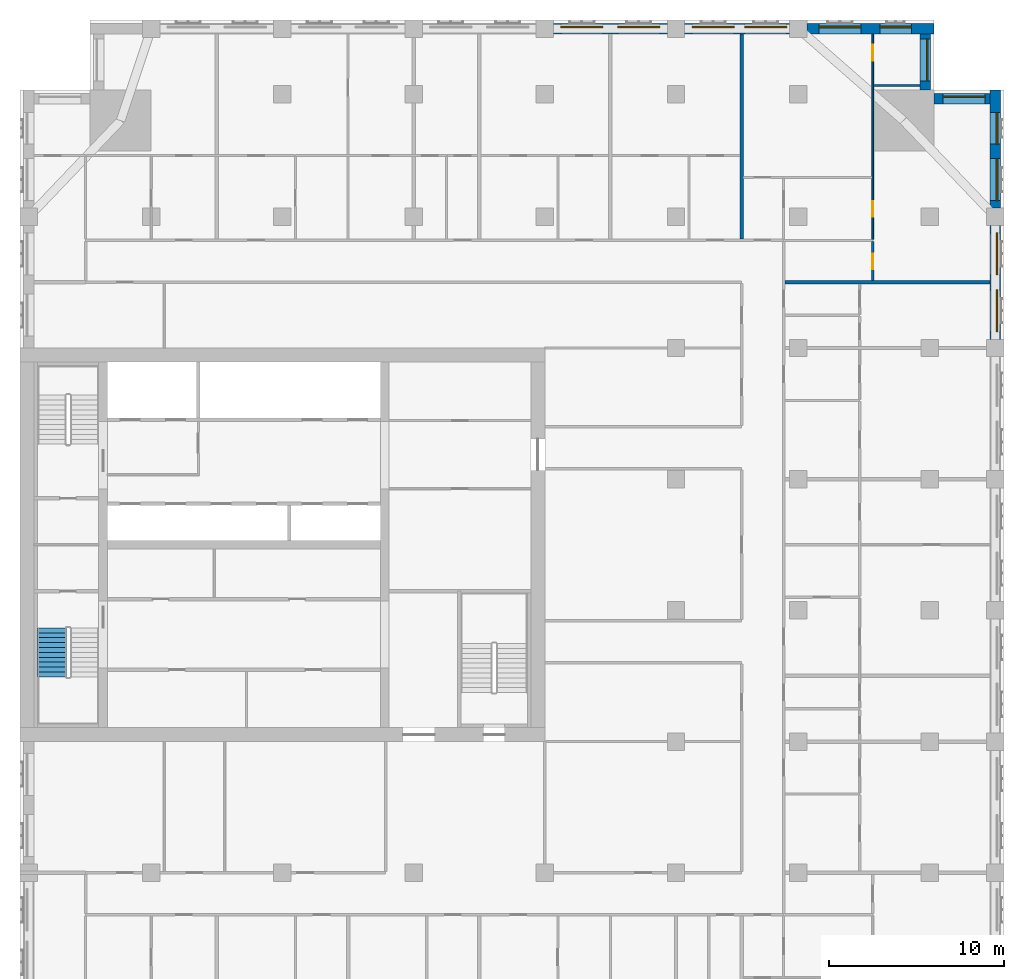
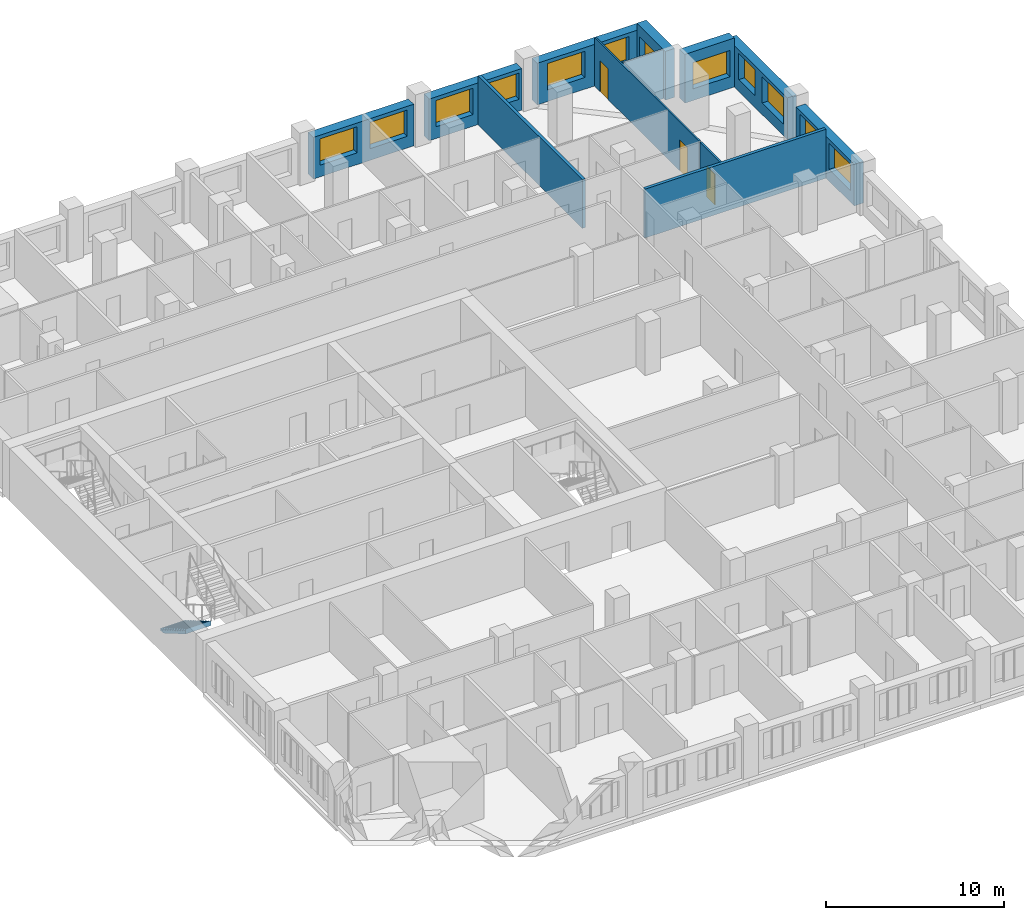
# One storey, part 11 of 14: 12 walls, 12 windows, 3 doors, 1 stair flight, 15 openings, 1 element without a shape of its own.
"""IFC4 building model written with IfcOpenShell, lengths in metres."""

from ifc_helpers import new_model, si_unit, direction, frame, frame_2d, origin, place, context, subcontext, project, spatial, polyline, rectangle, outline, extrude, material, layer, layer_set, type_object, element, fill, aggregate, save


model = new_model("IFC4")

# Units and contexts
model_context = context("Model", 3, precision=1e-05, world=origin(), true_north=direction((0.0, 1.0)))
body_context = subcontext(model_context, "Body", "Model", "MODEL_VIEW")
ifc_project = project(units=[si_unit("LENGTHUNIT", "METRE"), si_unit("AREAUNIT", "SQUARE_METRE"), si_unit("VOLUMEUNIT", "CUBIC_METRE"), si_unit("PLANEANGLEUNIT", "RADIAN"), si_unit("MASSUNIT", "GRAM", prefix="KILO")], contexts=[model_context])

# Site, building, storey
site_placement = place(None, origin())
site = spatial("IfcSite", under=ifc_project, at=site_placement, CompositionType="ELEMENT")
building_placement = place(site_placement, origin())
building = spatial("IfcBuilding", under=site, at=building_placement, Name="Tamorin Gate", CompositionType="ELEMENT")
storey_placement = place(building_placement, frame((0.0, 0.0, 148.199951171875)))
storey = spatial("IfcBuildingStorey", under=building, at=storey_placement, Name="L36", CompositionType="ELEMENT", Elevation=148.199951171875)

# Wall, openings, windows
ifc_material_1 = material(Name="Precast concrete C40/50", Category="concrete")
ifc_layer_1 = layer(ifc_material_1, 0.60009765625)
ifc_layer_set_1 = layer_set([ifc_layer_1], Name="Precast concrete C40/50")
wall_type_1 = type_object("IfcWallType", Name="Board-marked concrete facade panel 600", PredefinedType="SOLIDWALL", material=ifc_layer_set_1)
wall_1_placement = place(storey_placement, frame((85.75, 83.0, 0.0), z_axis=(0.0, 0.0, 1.0), x_axis=(0.0, 1.0, 0.0)))
wall_1 = element("IfcWall", 1, at=wall_1_placement, inside=storey, type_object=wall_type_1, Name="Facade panel", PredefinedType="SOLIDWALL", context=body_context, shape_type="SweptSolid", body=[
    extrude(rectangle(XDim=6.5, YDim=0.60009765625, at=frame_2d((3.25, 0.0))), origin(), (0.0, 0.0, 1.0), 2.85009765625),
])
opening_1_placement = place(wall_1_placement, frame((0.425048828125, 0.0, 0.800048828125)))
opening_1 = element("IfcOpeningElement", 2, at=opening_1_placement, cuts=wall_1, Name="Opening WN1", PredefinedType="OPENING", context=body_context, shape_type="SweptSolid", body=[
    extrude(rectangle(XDim=2.39990234375, YDim=1.800048828125, at=frame_2d((1.199951171875, 0.89990234375))), frame((0.0, 0.31005859375, 0.0), z_axis=(0.0, -1.0, 0.0), x_axis=(1.0, 0.0, 0.0)), (0.0, 0.0, 1.0), 0.6201171875),
])
opening_2_placement = place(wall_1_placement, frame((3.675048828125, 0.0, 0.800048828125)))
opening_2 = element("IfcOpeningElement", 3, at=opening_2_placement, cuts=wall_1, Name="Opening WN1", PredefinedType="OPENING", context=body_context, shape_type="SweptSolid", body=[
    extrude(rectangle(XDim=2.39990234375, YDim=1.800048828125, at=frame_2d((1.199951171875, 0.89990234375))), frame((0.0, 0.31005859375, 0.0), z_axis=(0.0, -1.0, 0.0), x_axis=(1.0, 0.0, 0.0)), (0.0, 0.0, 1.0), 0.6201171875),
])
ifc_material_2 = material(Name="Clear glass in aluminium frame", Category="aluminium")
window_type_1 = type_object("IfcWindowType", Name="Deep-set window 2400x1800", PartitioningType="SINGLE_PANEL", PredefinedType="WINDOW", material=ifc_material_2)
window_1_placement = place(opening_1_placement, origin())
window_1 = element("IfcWindow", 4, at=window_1_placement, inside=storey, type_object=window_type_1, Name="Deep-set window", OverallHeight=1.800048828125, OverallWidth=2.39990234375, PartitioningType="SINGLE_PANEL", PredefinedType="WINDOW", context=body_context, shape_type="SweptSolid", body=[
    extrude(rectangle(XDim=2.39990234375, YDim=1.800048828125, at=frame_2d((1.199951171875, 0.89990234375))), frame((0.0, -0.070068359375, 0.0), z_axis=(0.0, -1.0, 0.0), x_axis=(1.0, 0.0, 0.0)), (0.0, 0.0, 1.0), 0.06005859375),
])
fill(opening_1, window_1)
window_2_placement = place(opening_2_placement, origin())
window_2 = element("IfcWindow", 5, at=window_2_placement, inside=storey, type_object=window_type_1, Name="Deep-set window", OverallHeight=1.800048828125, OverallWidth=2.39990234375, PartitioningType="SINGLE_PANEL", PredefinedType="WINDOW", context=body_context, shape_type="SweptSolid", body=[
    extrude(rectangle(XDim=2.39990234375, YDim=1.800048828125, at=frame_2d((1.199951171875, 0.89990234375))), frame((0.0, -0.070068359375, 0.0), z_axis=(0.0, -1.0, 0.0), x_axis=(1.0, 0.0, 0.0)), (0.0, 0.0, 1.0), 0.06005859375),
])
fill(opening_2, window_2)

wall_2_placement = place(storey_placement, frame((85.75, 90.5, 0.0), z_axis=(0.0, 0.0, 1.0), x_axis=(0.0, 1.0, 0.0)))
wall_2 = element("IfcWall", 6, at=wall_2_placement, inside=storey, type_object=wall_type_1, Name="Facade panel", PredefinedType="SOLIDWALL", context=body_context, shape_type="SweptSolid", body=[
    extrude(rectangle(XDim=6.75, YDim=0.60009765625, at=frame_2d((3.375, 0.0))), origin(), (0.0, 0.0, 1.0), 2.85009765625),
])
opening_3_placement = place(wall_2_placement, frame((0.425048828125, 0.0, 0.800048828125)))
opening_3 = element("IfcOpeningElement", 7, at=opening_3_placement, cuts=wall_2, Name="Opening WN1", PredefinedType="OPENING", context=body_context, shape_type="SweptSolid", body=[
    extrude(rectangle(XDim=2.39990234375, YDim=1.800048828125, at=frame_2d((1.199951171875, 0.89990234375))), frame((0.0, 0.31005859375, 0.0), z_axis=(0.0, -1.0, 0.0), x_axis=(1.0, 0.0, 0.0)), (0.0, 0.0, 1.0), 0.6201171875),
])
opening_4_placement = place(wall_2_placement, frame((3.64990234375, 0.0, 0.800048828125)))
opening_4 = element("IfcOpeningElement", 8, at=opening_4_placement, cuts=wall_2, Name="Opening WN2", PredefinedType="OPENING", context=body_context, shape_type="SweptSolid", body=[
    extrude(rectangle(XDim=1.800048828125, YDim=1.800048828125, at=frame_2d((0.89990234375, 0.89990234375))), frame((0.0, 0.31005859375, 0.0), z_axis=(0.0, -1.0, 0.0), x_axis=(1.0, 0.0, 0.0)), (0.0, 0.0, 1.0), 0.6201171875),
])
window_type_2 = type_object("IfcWindowType", Name="Deep-set window 1800x1800", PartitioningType="SINGLE_PANEL", PredefinedType="WINDOW", material=ifc_material_2)
window_3_placement = place(opening_4_placement, origin())
window_3 = element("IfcWindow", 9, at=window_3_placement, inside=storey, type_object=window_type_2, Name="Deep-set window", OverallHeight=1.800048828125, OverallWidth=1.800048828125, PartitioningType="SINGLE_PANEL", PredefinedType="WINDOW", context=body_context, shape_type="SweptSolid", body=[
    extrude(rectangle(XDim=1.800048828125, YDim=1.800048828125, at=frame_2d((0.89990234375, 0.89990234375))), frame((0.0, -0.070068359375, 0.0), z_axis=(0.0, -1.0, 0.0), x_axis=(1.0, 0.0, 0.0)), (0.0, 0.0, 1.0), 0.06005859375),
])
fill(opening_4, window_3)
window_4_placement = place(opening_3_placement, origin())
window_4 = element("IfcWindow", 10, at=window_4_placement, inside=storey, type_object=window_type_1, Name="Deep-set window", OverallHeight=1.800048828125, OverallWidth=2.39990234375, PartitioningType="SINGLE_PANEL", PredefinedType="WINDOW", context=body_context, shape_type="SweptSolid", body=[
    extrude(rectangle(XDim=2.39990234375, YDim=1.800048828125, at=frame_2d((1.199951171875, 0.89990234375))), frame((0.0, -0.070068359375, 0.0), z_axis=(0.0, -1.0, 0.0), x_axis=(1.0, 0.0, 0.0)), (0.0, 0.0, 1.0), 0.06005859375),
])
fill(opening_3, window_4)

# Wall, opening, window
wall_3_placement = place(storey_placement, frame((85.449951171875, 96.75, 0.0), z_axis=(0.0, 0.0, 1.0), x_axis=(-1.0, 0.0, 0.0)))
wall_3 = element("IfcWall", 11, at=wall_3_placement, inside=storey, type_object=wall_type_1, Name="Facade panel", PredefinedType="SOLIDWALL", context=body_context, shape_type="SweptSolid", body=[
    extrude(rectangle(XDim=3.199951171875, YDim=0.60009765625, at=frame_2d((1.60009765625, 0.0))), origin(), (0.0, 0.0, 1.0), 3.35009765625),
])
opening_5_placement = place(wall_3_placement, frame((0.27490234375, 0.0, 0.800048828125)))
opening_5 = element("IfcOpeningElement", 12, at=opening_5_placement, cuts=wall_3, Name="Opening WN1", PredefinedType="OPENING", context=body_context, shape_type="SweptSolid", body=[
    extrude(rectangle(XDim=2.39990234375, YDim=1.800048828125, at=frame_2d((1.199951171875, 0.89990234375))), frame((0.0, 0.31005859375, 0.0), z_axis=(0.0, -1.0, 0.0), x_axis=(1.0, 0.0, 0.0)), (0.0, 0.0, 1.0), 0.6201171875),
])
window_5_placement = place(opening_5_placement, origin())
window_5 = element("IfcWindow", 13, at=window_5_placement, inside=storey, type_object=window_type_1, Name="Deep-set window", OverallHeight=1.800048828125, OverallWidth=2.39990234375, PartitioningType="SINGLE_PANEL", PredefinedType="WINDOW", context=body_context, shape_type="SweptSolid", body=[
    extrude(rectangle(XDim=2.39990234375, YDim=1.800048828125, at=frame_2d((1.199951171875, 0.89990234375))), frame((0.0, -0.070068359375, 0.0), z_axis=(0.0, -1.0, 0.0), x_axis=(1.0, 0.0, 0.0)), (0.0, 0.0, 1.0), 0.06005859375),
])
fill(opening_5, window_5)

wall_4_placement = place(storey_placement, frame((81.75, 97.25, 0.0), z_axis=(0.0, 0.0, 1.0), x_axis=(0.0, 1.0, 0.0)))
wall_4 = element("IfcWall", 14, at=wall_4_placement, inside=storey, type_object=wall_type_1, Name="Facade panel", PredefinedType="SOLIDWALL", context=body_context, shape_type="SweptSolid", body=[
    extrude(rectangle(XDim=3.199951171875, YDim=0.60009765625, at=frame_2d((1.60009765625, 0.0))), origin(), (0.0, 0.0, 1.0), 3.35009765625),
])
opening_6_placement = place(wall_4_placement, frame((0.52490234375, 0.0, 0.800048828125)))
opening_6 = element("IfcOpeningElement", 15, at=opening_6_placement, cuts=wall_4, Name="Opening WN1", PredefinedType="OPENING", context=body_context, shape_type="SweptSolid", body=[
    extrude(rectangle(XDim=2.39990234375, YDim=1.800048828125, at=frame_2d((1.199951171875, 0.89990234375))), frame((0.0, 0.31005859375, 0.0), z_axis=(0.0, -1.0, 0.0), x_axis=(1.0, 0.0, 0.0)), (0.0, 0.0, 1.0), 0.6201171875),
])
window_6_placement = place(opening_6_placement, origin())
window_6 = element("IfcWindow", 16, at=window_6_placement, inside=storey, type_object=window_type_1, Name="Deep-set window", OverallHeight=1.800048828125, OverallWidth=2.39990234375, PartitioningType="SINGLE_PANEL", PredefinedType="WINDOW", context=body_context, shape_type="SweptSolid", body=[
    extrude(rectangle(XDim=2.39990234375, YDim=1.800048828125, at=frame_2d((1.199951171875, 0.89990234375))), frame((0.0, -0.070068359375, 0.0), z_axis=(0.0, -1.0, 0.0), x_axis=(1.0, 0.0, 0.0)), (0.0, 0.0, 1.0), 0.06005859375),
])
fill(opening_6, window_6)

# Wall, openings, windows
wall_5_placement = place(storey_placement, frame((82.25, 100.75, 0.0), z_axis=(0.0, 0.0, 1.0), x_axis=(-1.0, 0.0, 0.0)))
wall_5 = element("IfcWall", 17, at=wall_5_placement, inside=storey, type_object=wall_type_1, Name="Facade panel", PredefinedType="SOLIDWALL", context=body_context, shape_type="SweptSolid", body=[
    extrude(rectangle(XDim=7.25, YDim=0.60009765625, at=frame_2d((3.625, 0.0))), origin(), (0.0, 0.0, 1.0), 2.85009765625),
])
opening_7_placement = place(wall_5_placement, frame((4.175048828125, 0.0, 0.800048828125)))
opening_7 = element("IfcOpeningElement", 18, at=opening_7_placement, cuts=wall_5, Name="Opening WN1", PredefinedType="OPENING", context=body_context, shape_type="SweptSolid", body=[
    extrude(rectangle(XDim=2.39990234375, YDim=1.800048828125, at=frame_2d((1.199951171875, 0.89990234375))), frame((0.0, 0.31005859375, 0.0), z_axis=(0.0, -1.0, 0.0), x_axis=(1.0, 0.0, 0.0)), (0.0, 0.0, 1.0), 0.6201171875),
])
opening_8_placement = place(wall_5_placement, frame((1.300048828125, 0.0, 0.800048828125)))
opening_8 = element("IfcOpeningElement", 19, at=opening_8_placement, cuts=wall_5, Name="Opening WN2", PredefinedType="OPENING", context=body_context, shape_type="SweptSolid", body=[
    extrude(rectangle(XDim=1.800048828125, YDim=1.800048828125, at=frame_2d((0.89990234375, 0.89990234375))), frame((0.0, 0.31005859375, 0.0), z_axis=(0.0, -1.0, 0.0), x_axis=(1.0, 0.0, 0.0)), (0.0, 0.0, 1.0), 0.6201171875),
])
window_7_placement = place(opening_8_placement, origin())
window_7 = element("IfcWindow", 20, at=window_7_placement, inside=storey, type_object=window_type_2, Name="Deep-set window", OverallHeight=1.800048828125, OverallWidth=1.800048828125, PartitioningType="SINGLE_PANEL", PredefinedType="WINDOW", context=body_context, shape_type="SweptSolid", body=[
    extrude(rectangle(XDim=1.800048828125, YDim=1.800048828125, at=frame_2d((0.89990234375, 0.89990234375))), frame((0.0, -0.070068359375, 0.0), z_axis=(0.0, -1.0, 0.0), x_axis=(1.0, 0.0, 0.0)), (0.0, 0.0, 1.0), 0.06005859375),
])
fill(opening_8, window_7)
window_8_placement = place(opening_7_placement, origin())
window_8 = element("IfcWindow", 21, at=window_8_placement, inside=storey, type_object=window_type_1, Name="Deep-set window", OverallHeight=1.800048828125, OverallWidth=2.39990234375, PartitioningType="SINGLE_PANEL", PredefinedType="WINDOW", context=body_context, shape_type="SweptSolid", body=[
    extrude(rectangle(XDim=2.39990234375, YDim=1.800048828125, at=frame_2d((1.199951171875, 0.89990234375))), frame((0.0, -0.070068359375, 0.0), z_axis=(0.0, -1.0, 0.0), x_axis=(1.0, 0.0, 0.0)), (0.0, 0.0, 1.0), 0.06005859375),
])
fill(opening_7, window_8)

wall_6_placement = place(storey_placement, frame((74.0, 100.75, 0.0), z_axis=(0.0, 0.0, 1.0), x_axis=(-1.0, 0.0, 0.0)))
wall_6 = element("IfcWall", 22, at=wall_6_placement, inside=storey, type_object=wall_type_1, Name="Facade panel", PredefinedType="SOLIDWALL", context=body_context, shape_type="SweptSolid", body=[
    extrude(rectangle(XDim=6.0, YDim=0.60009765625, at=frame_2d((3.0, 0.0))), origin(), (0.0, 0.0, 1.0), 2.85009765625),
])
opening_9_placement = place(wall_6_placement, frame((3.175048828125, 0.0, 0.800048828125)))
opening_9 = element("IfcOpeningElement", 23, at=opening_9_placement, cuts=wall_6, Name="Opening WN1", PredefinedType="OPENING", context=body_context, shape_type="SweptSolid", body=[
    extrude(rectangle(XDim=2.39990234375, YDim=1.800048828125, at=frame_2d((1.199951171875, 0.89990234375))), frame((0.0, 0.31005859375, 0.0), z_axis=(0.0, -1.0, 0.0), x_axis=(1.0, 0.0, 0.0)), (0.0, 0.0, 1.0), 0.6201171875),
])
opening_10_placement = place(wall_6_placement, frame((0.175048828125, 0.0, 0.800048828125)))
opening_10 = element("IfcOpeningElement", 24, at=opening_10_placement, cuts=wall_6, Name="Opening WN1", PredefinedType="OPENING", context=body_context, shape_type="SweptSolid", body=[
    extrude(rectangle(XDim=2.39990234375, YDim=1.800048828125, at=frame_2d((1.199951171875, 0.89990234375))), frame((0.0, 0.31005859375, 0.0), z_axis=(0.0, -1.0, 0.0), x_axis=(1.0, 0.0, 0.0)), (0.0, 0.0, 1.0), 0.6201171875),
])
window_9_placement = place(opening_9_placement, origin())
window_9 = element("IfcWindow", 25, at=window_9_placement, inside=storey, type_object=window_type_1, Name="Deep-set window", OverallHeight=1.800048828125, OverallWidth=2.39990234375, PartitioningType="SINGLE_PANEL", PredefinedType="WINDOW", context=body_context, shape_type="SweptSolid", body=[
    extrude(rectangle(XDim=2.39990234375, YDim=1.800048828125, at=frame_2d((1.199951171875, 0.89990234375))), frame((0.0, -0.070068359375, 0.0), z_axis=(0.0, -1.0, 0.0), x_axis=(1.0, 0.0, 0.0)), (0.0, 0.0, 1.0), 0.06005859375),
])
fill(opening_9, window_9)
window_10_placement = place(opening_10_placement, origin())
window_10 = element("IfcWindow", 26, at=window_10_placement, inside=storey, type_object=window_type_1, Name="Deep-set window", OverallHeight=1.800048828125, OverallWidth=2.39990234375, PartitioningType="SINGLE_PANEL", PredefinedType="WINDOW", context=body_context, shape_type="SweptSolid", body=[
    extrude(rectangle(XDim=2.39990234375, YDim=1.800048828125, at=frame_2d((1.199951171875, 0.89990234375))), frame((0.0, -0.070068359375, 0.0), z_axis=(0.0, -1.0, 0.0), x_axis=(1.0, 0.0, 0.0)), (0.0, 0.0, 1.0), 0.06005859375),
])
fill(opening_10, window_10)

wall_7_placement = place(storey_placement, frame((67.0, 100.75, 0.0), z_axis=(0.0, 0.0, 1.0), x_axis=(-1.0, 0.0, 0.0)))
wall_7 = element("IfcWall", 27, at=wall_7_placement, inside=storey, type_object=wall_type_1, Name="Facade panel", PredefinedType="SOLIDWALL", context=body_context, shape_type="SweptSolid", body=[
    extrude(rectangle(XDim=6.5, YDim=0.60009765625, at=frame_2d((3.25, 0.0))), origin(), (0.0, 0.0, 1.0), 2.85009765625),
])
opening_11_placement = place(wall_7_placement, frame((3.675048828125, 0.0, 0.800048828125)))
opening_11 = element("IfcOpeningElement", 28, at=opening_11_placement, cuts=wall_7, Name="Opening WN1", PredefinedType="OPENING", context=body_context, shape_type="SweptSolid", body=[
    extrude(rectangle(XDim=2.39990234375, YDim=1.800048828125, at=frame_2d((1.199951171875, 0.89990234375))), frame((0.0, 0.31005859375, 0.0), z_axis=(0.0, -1.0, 0.0), x_axis=(1.0, 0.0, 0.0)), (0.0, 0.0, 1.0), 0.6201171875),
])
opening_12_placement = place(wall_7_placement, frame((0.425048828125, 0.0, 0.800048828125)))
opening_12 = element("IfcOpeningElement", 29, at=opening_12_placement, cuts=wall_7, Name="Opening WN1", PredefinedType="OPENING", context=body_context, shape_type="SweptSolid", body=[
    extrude(rectangle(XDim=2.39990234375, YDim=1.800048828125, at=frame_2d((1.199951171875, 0.89990234375))), frame((0.0, 0.31005859375, 0.0), z_axis=(0.0, -1.0, 0.0), x_axis=(1.0, 0.0, 0.0)), (0.0, 0.0, 1.0), 0.6201171875),
])
window_11_placement = place(opening_11_placement, origin())
window_11 = element("IfcWindow", 30, at=window_11_placement, inside=storey, type_object=window_type_1, Name="Deep-set window", OverallHeight=1.800048828125, OverallWidth=2.39990234375, PartitioningType="SINGLE_PANEL", PredefinedType="WINDOW", context=body_context, shape_type="SweptSolid", body=[
    extrude(rectangle(XDim=2.39990234375, YDim=1.800048828125, at=frame_2d((1.199951171875, 0.89990234375))), frame((0.0, -0.070068359375, 0.0), z_axis=(0.0, -1.0, 0.0), x_axis=(1.0, 0.0, 0.0)), (0.0, 0.0, 1.0), 0.06005859375),
])
fill(opening_11, window_11)
window_12_placement = place(opening_12_placement, origin())
window_12 = element("IfcWindow", 31, at=window_12_placement, inside=storey, type_object=window_type_1, Name="Deep-set window", OverallHeight=1.800048828125, OverallWidth=2.39990234375, PartitioningType="SINGLE_PANEL", PredefinedType="WINDOW", context=body_context, shape_type="SweptSolid", body=[
    extrude(rectangle(XDim=2.39990234375, YDim=1.800048828125, at=frame_2d((1.199951171875, 0.89990234375))), frame((0.0, -0.070068359375, 0.0), z_axis=(0.0, -1.0, 0.0), x_axis=(1.0, 0.0, 0.0)), (0.0, 0.0, 1.0), 0.06005859375),
])
fill(opening_12, window_12)

# Walls
ifc_material_3 = material(Name="Gypsum board partition")
ifc_layer_2 = layer(ifc_material_3, 0.199951171875)
ifc_layer_set_2 = layer_set([ifc_layer_2], Name="Demising wall 200")
wall_type_2 = type_object("IfcWallType", Name="Demising wall 200", PredefinedType="PARTITIONING", material=ifc_layer_set_2)
for number, where, z_axis, x_axis, name in (
    (32, (73.72509765625, 86.25, 0.0), (0.0, 0.0, 1.0), (1.0, 0.0, 0.0), "Demising wall 200"),
    (33, (71.25, 88.72509765625, 0.0), (0.0, 0.0, 1.0), (0.0, 1.0, 0.0), "Demising wall 200"),
):
    element("IfcWall", number, at=place(storey_placement, frame(where, z_axis=z_axis, x_axis=x_axis)), inside=storey, type_object=wall_type_2, Name=name, PredefinedType="PARTITIONING", context=body_context, shape_type="SweptSolid", body=[
        extrude(rectangle(XDim=11.71484375, YDim=0.199951171875, at=frame_2d((5.857421875, 0.0))), origin(), (0.0, 0.0, 1.0), 3.35009765625),
    ])
ifc_layer_3 = layer(ifc_material_3, 0.10009765625)
ifc_layer_set_3 = layer_set([ifc_layer_3], Name="Room partition 100")
wall_type_3 = type_object("IfcWallType", Name="Room partition 100", PredefinedType="PARTITIONING", material=ifc_layer_set_3)
wall_8_placement = place(storey_placement, frame((78.800048828125, 97.5, 0.0), z_axis=(0.0, 0.0, 1.0), x_axis=(1.0, 0.0, 0.0)))
element("IfcWall", 34, at=wall_8_placement, inside=storey, type_object=wall_type_3, Name="Room partition 100", PredefinedType="PARTITIONING", context=body_context, shape_type="SweptSolid", body=[
    extrude(rectangle(XDim=2.639892578125, YDim=0.10009765625, at=frame_2d((1.31982421875, 0.0))), origin(), (0.0, 0.0, 1.0), 3.35009765625),
])

# Wall, openings, doors
wall_9_placement = place(storey_placement, frame((78.75, 88.71240234375, 0.0), z_axis=(0.0, 0.0, 1.0), x_axis=(0.0, 1.0, 0.0)))
wall_9 = element("IfcWall", 35, at=wall_9_placement, inside=storey, type_object=wall_type_3, Name="Room partition 100", PredefinedType="PARTITIONING", context=body_context, shape_type="SweptSolid", body=[
    extrude(rectangle(XDim=11.7275390625, YDim=0.10009765625, at=frame_2d((5.86376953125, 0.0))), origin(), (0.0, 0.0, 1.0), 3.35009765625),
])
opening_13_placement = place(wall_9_placement, frame((10.21240234375, 0.0, 0.0)))
opening_13 = element("IfcOpeningElement", 36, at=opening_13_placement, cuts=wall_9, Name="Opening DS2063", PredefinedType="OPENING", context=body_context, shape_type="SweptSolid", body=[
    extrude(rectangle(XDim=0.89990234375, YDim=2.10009765625, at=frame_2d((0.449951171875, 1.050048828125))), frame((0.0, 0.06005859375, 0.0), z_axis=(0.0, -1.0, 0.0), x_axis=(1.0, 0.0, 0.0)), (0.0, 0.0, 1.0), 0.1201171875),
])
opening_14_placement = place(wall_9_placement, frame((1.28759765625, 0.0, 0.0)))
opening_14 = element("IfcOpeningElement", 37, at=opening_14_placement, cuts=wall_9, Name="Opening DS2064", PredefinedType="OPENING", context=body_context, shape_type="SweptSolid", body=[
    extrude(rectangle(XDim=0.89990234375, YDim=2.10009765625, at=frame_2d((0.449951171875, 1.050048828125))), frame((0.0, 0.06005859375, 0.0), z_axis=(0.0, -1.0, 0.0), x_axis=(1.0, 0.0, 0.0)), (0.0, 0.0, 1.0), 0.1201171875),
])
ifc_material_4 = material(Name="Timber door leaf", Category="wood")
door_type = type_object("IfcDoorType", Name="Door 900 x 2100", OperationType="NOTDEFINED", PredefinedType="DOOR", material=ifc_material_4)
door_1_placement = place(opening_13_placement, origin())
door_1 = element("IfcDoor", 38, at=door_1_placement, inside=storey, type_object=door_type, Name="Door DS2063", OperationType="SINGLE_SWING_LEFT", OverallHeight=2.10009765625, OverallWidth=0.89990234375, PredefinedType="DOOR", context=body_context, shape_type="SweptSolid", body=[
    extrude(rectangle(XDim=0.89990234375, YDim=2.10009765625, at=frame_2d((0.449951171875, 1.050048828125))), frame((0.0, 0.02490234375, 0.0), z_axis=(0.0, -1.0, 0.0), x_axis=(1.0, 0.0, 0.0)), (0.0, 0.0, 1.0), 0.050048828125),
])
fill(opening_13, door_1)
door_2_placement = place(opening_14_placement, origin())
door_2 = element("IfcDoor", 39, at=door_2_placement, inside=storey, type_object=door_type, Name="Door DS2064", OperationType="SINGLE_SWING_RIGHT", OverallHeight=2.10009765625, OverallWidth=0.89990234375, PredefinedType="DOOR", context=body_context, shape_type="SweptSolid", body=[
    extrude(rectangle(XDim=0.89990234375, YDim=2.10009765625, at=frame_2d((0.449951171875, 1.050048828125))), frame((0.0, 0.02490234375, 0.0), z_axis=(0.0, -1.0, 0.0), x_axis=(1.0, 0.0, 0.0)), (0.0, 0.0, 1.0), 0.050048828125),
])
fill(opening_14, door_2)

# Wall, opening, door
ifc_layer_4 = layer(ifc_material_3, 0.125)
ifc_layer_set_4 = layer_set([ifc_layer_4], Name="Wet wall 125")
wall_type_4 = type_object("IfcWallType", Name="Wet wall 125", PredefinedType="PARTITIONING", material=ifc_layer_set_4)
wall_10_placement = place(storey_placement, frame((78.75, 86.35009765625, 0.0), z_axis=(0.0, 0.0, 1.0), x_axis=(0.0, 1.0, 0.0)))
wall_10 = element("IfcWall", 40, at=wall_10_placement, inside=storey, type_object=wall_type_4, Name="Wet wall 125", PredefinedType="PARTITIONING", context=body_context, shape_type="SweptSolid", body=[
    extrude(rectangle(XDim=2.2373046875, YDim=0.125, at=frame_2d((1.11865234375, 0.0))), origin(), (0.0, 0.0, 1.0), 3.35009765625),
])
opening_15_placement = place(wall_10_placement, frame((0.64990234375, 0.0, 0.0)))
opening_15 = element("IfcOpeningElement", 41, at=opening_15_placement, cuts=wall_10, Name="Opening DS2065", PredefinedType="OPENING", context=body_context, shape_type="SweptSolid", body=[
    extrude(rectangle(XDim=0.89990234375, YDim=2.10009765625, at=frame_2d((0.449951171875, 1.050048828125))), frame((0.0, 0.072509765625, 0.0), z_axis=(0.0, -1.0, 0.0), x_axis=(1.0, 0.0, 0.0)), (0.0, 0.0, 1.0), 0.14501953125),
])
door_3_placement = place(opening_15_placement, origin())
door_3 = element("IfcDoor", 42, at=door_3_placement, inside=storey, type_object=door_type, Name="Door DS2065", OperationType="SINGLE_SWING_LEFT", OverallHeight=2.10009765625, OverallWidth=0.89990234375, PredefinedType="DOOR", context=body_context, shape_type="SweptSolid", body=[
    extrude(rectangle(XDim=0.89990234375, YDim=2.10009765625, at=frame_2d((0.449951171875, 1.050048828125))), frame((0.0, 0.02490234375, 0.0), z_axis=(0.0, -1.0, 0.0), x_axis=(1.0, 0.0, 0.0)), (0.0, 0.0, 1.0), 0.050048828125),
])
fill(opening_15, door_3)

# Stair, stair flight
ifc_material_5 = material(Name="Concrete C40/50", Category="concrete")
stair_type = type_object("IfcStairType", Name="Exit stair", PredefinedType="HALF_TURN_STAIR", material=ifc_material_5)
stair_placement = place(storey_placement, origin())
stair = element("IfcStair", 43, at=stair_placement, inside=storey, type_object=stair_type, Name="L36 stair ST1", PredefinedType="HALF_TURN_STAIR")
stair_flight_type = type_object("IfcStairFlightType", Name="Exit stair flight", PredefinedType="STRAIGHT", material=ifc_material_5)
stair_flight_placement = place(storey_placement, frame((31.824951171875, 66.5, 0.0), z_axis=(0.0, 0.0, 1.0), x_axis=(0.0, -1.0, 0.0)))
stair_flight = element("IfcStairFlight", 44, at=stair_flight_placement, type_object=stair_flight_type, Name="ST1 flight 1", NumberOfRisers=11, NumberOfTreads=10, PredefinedType="STRAIGHT", RiserHeight=0.163636364, TreadLength=0.28, context=body_context, shape_type="SweptSolid", body=[
    extrude(outline(polyline([(-0.00048828125, 0.0), (-0.00048828125, 0.001708984375), (-0.00048828125, 0.003173828125), (-0.00048828125, 0.0048828125), (-0.00048828125, 0.006591796875), (-0.00048828125, 0.008056640625), (-0.00048828125, 0.009765625), (-0.00048828125, 0.01123046875), (-0.00048828125, 0.012939453125), (-0.00048828125, 0.0146484375), (-0.00048828125, 0.01611328125), (-0.00048828125, 0.017822265625), (-0.00048828125, 0.01953125), (-0.00048828125, 0.02099609375), (-0.00048828125, 0.022705078125), (-0.00048828125, 0.0244140625), (-0.00048828125, 0.02587890625), (-0.00048828125, 0.027587890625), (-0.00048828125, 0.029052734375), (-0.00048828125, 0.03076171875), (-0.00048828125, 0.032470703125), (-0.00048828125, 0.033935546875), (-0.00048828125, 0.03564453125), (-0.00048828125, 0.037353515625), (-0.00048828125, 0.038818359375), (-0.00048828125, 0.04052734375), (-0.00048828125, 0.042236328125), (-0.00048828125, 0.043701171875), (-0.00048828125, 0.04541015625), (-0.00048828125, 0.046875), (-0.00048828125, 0.048583984375), (-0.00048828125, 0.05029296875), (-0.00048828125, 0.0517578125), (-0.00048828125, 0.053466796875), (-0.00048828125, 0.05517578125), (-0.00048828125, 0.056640625), (-0.00048828125, 0.058349609375), (-0.00048828125, 0.06005859375), (-0.00048828125, 0.0615234375), (-0.00048828125, 0.063232421875), (-0.00048828125, 0.064697265625), (-0.00048828125, 0.06640625), (-0.00048828125, 0.068115234375), (-0.00048828125, 0.069580078125), (-0.00048828125, 0.0712890625), (-0.00048828125, 0.072998046875), (-0.00048828125, 0.074462890625), (-0.00048828125, 0.076171875), (-0.00048828125, 0.077880859375), (-0.00048828125, 0.079345703125), (-0.00048828125, 0.0810546875), (-0.00048828125, 0.08251953125), (-0.00048828125, 0.084228515625), (-0.00048828125, 0.0859375), (-0.00048828125, 0.08740234375), (-0.00048828125, 0.089111328125), (-0.00048828125, 0.0908203125), (-0.00048828125, 0.09228515625), (-0.00048828125, 0.093994140625), (-0.00048828125, 0.095703125), (-0.00048828125, 0.09716796875), (-0.00048828125, 0.098876953125), (-0.00048828125, 0.100341796875), (-0.00048828125, 0.10205078125), (-0.00048828125, 0.103759765625), (-0.00048828125, 0.105224609375), (-0.00048828125, 0.10693359375), (-0.00048828125, 0.108642578125), (-0.00048828125, 0.110107421875), (-0.00048828125, 0.11181640625), (-0.00048828125, 0.113525390625), (-0.00048828125, 0.114990234375), (-0.00048828125, 0.11669921875), (-0.00048828125, 0.1181640625), (-0.00048828125, 0.119873046875), (-0.00048828125, 0.12158203125), (-0.00048828125, 0.123046875), (-0.00048828125, 0.124755859375), (-0.00048828125, 0.12646484375), (-0.00048828125, 0.1279296875), (-0.00048828125, 0.129638671875), (-0.00048828125, 0.13134765625), (-0.00048828125, 0.1328125), (-0.00048828125, 0.134521484375), (-0.00048828125, 0.135986328125), (-0.00048828125, 0.1376953125), (-0.00048828125, 0.139404296875), (-0.00048828125, 0.140869140625), (-0.00048828125, 0.142578125), (-0.00048828125, 0.144287109375), (-0.00048828125, 0.145751953125), (-0.00048828125, 0.1474609375), (-0.00048828125, 0.149169921875), (-0.00048828125, 0.150634765625), (-0.00048828125, 0.15234375), (-0.00048828125, 0.15380859375), (-0.00048828125, 0.155517578125), (-0.00048828125, 0.1572265625), (-0.00048828125, 0.15869140625), (-0.00048828125, 0.160400390625), (-0.00048828125, 0.162109375), (-0.00048828125, 0.16357421875), (0.280029296875, 0.16357421875), (0.280029296875, 0.327392578125), (0.56005859375, 0.327392578125), (0.56005859375, 0.490966796875), (0.840087890625, 0.490966796875), (0.840087890625, 0.654541015625), (1.1201171875, 0.654541015625), (1.1201171875, 0.818115234375), (1.39990234375, 0.818115234375), (1.39990234375, 0.98193359375), (1.679931640625, 0.98193359375), (1.679931640625, 1.1455078125), (1.9599609375, 1.1455078125), (1.9599609375, 1.30908203125), (2.239990234375, 1.30908203125), (2.239990234375, 1.47265625), (2.52001953125, 1.47265625), (2.52001953125, 1.636474609375), (2.800048828125, 1.636474609375), (2.800048828125, 1.800048828125), (2.800537109375, 1.800048828125), (2.800537109375, 1.796630859375), (2.800537109375, 1.793212890625), (2.800537109375, 1.7900390625), (2.800537109375, 1.78662109375), (2.800537109375, 1.783203125), (2.800537109375, 1.780029296875), (2.800537109375, 1.776611328125), (2.800537109375, 1.773193359375), (2.800537109375, 1.77001953125), (2.800537109375, 1.7666015625), (2.800537109375, 1.76318359375), (2.800537109375, 1.760009765625), (2.800537109375, 1.756591796875), (2.800537109375, 1.753173828125), (2.800537109375, 1.75), (2.800537109375, 1.74658203125), (2.800537109375, 1.7431640625), (2.800537109375, 1.739990234375), (2.800537109375, 1.736572265625), (2.800537109375, 1.733154296875), (2.800537109375, 1.72998046875), (2.800537109375, 1.7265625), (2.800537109375, 1.72314453125), (2.800537109375, 1.719970703125), (2.800537109375, 1.716552734375), (2.800537109375, 1.713134765625), (2.800537109375, 1.7099609375), (2.800537109375, 1.70654296875), (2.800537109375, 1.703125), (2.800537109375, 1.69970703125), (2.800537109375, 1.696533203125), (2.800537109375, 1.693115234375), (2.800537109375, 1.689697265625), (2.800537109375, 1.6865234375), (2.800537109375, 1.68310546875), (2.800537109375, 1.6796875), (2.800537109375, 1.676513671875), (2.800537109375, 1.673095703125), (2.800537109375, 1.669677734375), (2.800537109375, 1.66650390625), (2.800537109375, 1.6630859375), (2.800537109375, 1.65966796875), (2.800537109375, 1.656494140625), (2.800537109375, 1.653076171875), (2.800537109375, 1.649658203125), (2.800537109375, 1.646484375), (2.800537109375, 1.64306640625), (2.800537109375, 1.6396484375), (2.800537109375, 1.636474609375), (2.800537109375, 1.633056640625), (2.800537109375, 1.629638671875), (2.800537109375, 1.62646484375), (2.800537109375, 1.623046875), (2.800537109375, 1.61962890625), (2.800537109375, 1.616455078125), (2.800537109375, 1.613037109375), (2.800537109375, 1.609619140625), (2.800537109375, 1.6064453125), (2.800537109375, 1.60302734375), (2.800537109375, 1.599609375), (2.800537109375, 1.59619140625), (2.800537109375, 1.593017578125), (2.800537109375, 1.589599609375), (2.800537109375, 1.586181640625), (2.800537109375, 1.5830078125), (2.800537109375, 1.57958984375), (2.800537109375, 1.576171875), (2.800537109375, 1.572998046875), (2.800537109375, 1.569580078125), (2.800537109375, 1.566162109375), (2.800537109375, 1.56298828125), (2.800537109375, 1.5595703125), (2.800537109375, 1.55615234375), (2.800537109375, 1.552978515625), (2.800537109375, 1.549560546875), (2.800537109375, 1.546142578125), (2.800537109375, 1.54296875), (2.800537109375, 1.53955078125), (2.800537109375, 1.5361328125), (2.800537109375, 1.532958984375), (2.800537109375, 1.529541015625), (2.800537109375, 1.526123046875), (2.800537109375, 1.52294921875), (2.800537109375, 1.51953125), (2.800537109375, 1.51611328125), (2.800537109375, 1.512939453125), (2.800537109375, 1.509521484375), (2.800537109375, 1.506103515625), (2.800537109375, 1.5029296875), (2.800537109375, 1.49951171875), (2.800537109375, 1.49609375), (2.800537109375, 1.49267578125), (2.800537109375, 1.489501953125), (2.800537109375, 1.486083984375), (2.800537109375, 1.482666015625), (2.800537109375, 1.4794921875), (2.800537109375, 1.47607421875), (2.800537109375, 1.47265625), (2.800537109375, 1.469482421875), (2.800537109375, 1.466064453125), (2.800537109375, 1.462646484375), (2.800048828125, 1.462646484375), (0.297119140625, 0.0), (-0.00048828125, 0.0)])), frame((0.0, 0.824951171875, 0.0), z_axis=(0.0, -1.0, 0.0), x_axis=(1.0, 0.0, 0.0)), (0.0, 0.0, 1.0), 1.64990234375),
])
aggregate(stair, [stair_flight])

save(model, "model.ifc")
